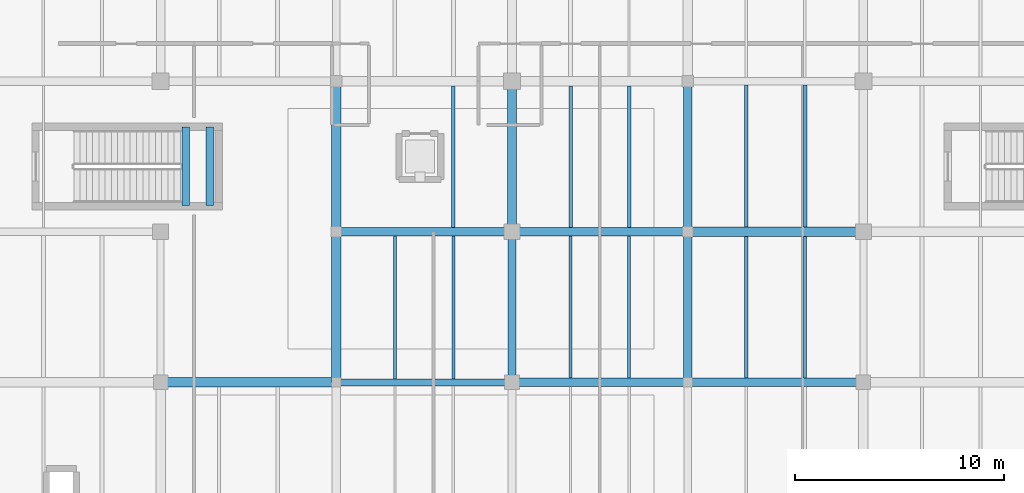
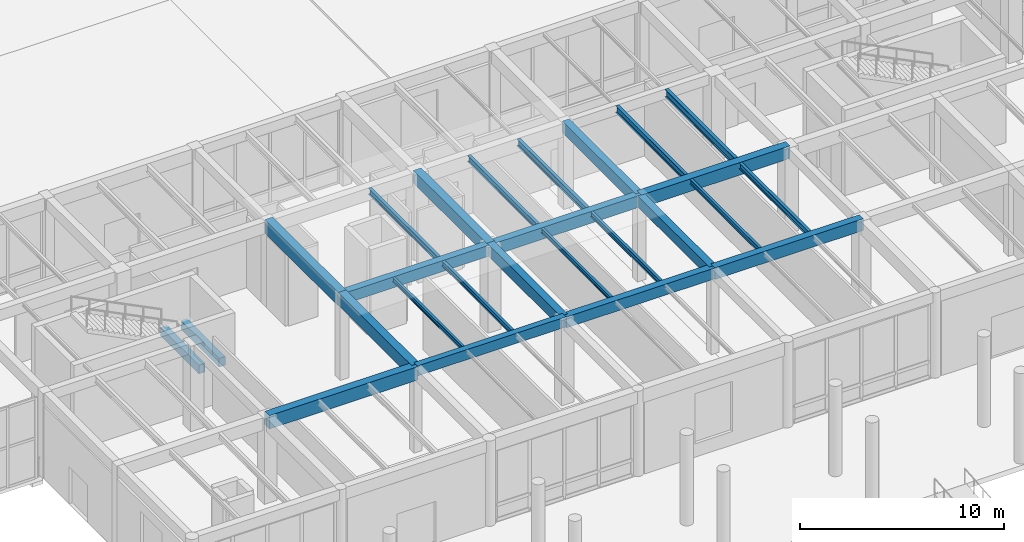
# One storey, part 42 of 169: 26 beams.
"""IFC4 building model written with IfcOpenShell, lengths in metres."""

from ifc_helpers import new_model, si_unit, direction, frame, origin, origin_2d, place, context, subcontext, project, spatial, rectangle, i_section, extrude, material, material_profile, profile_set, type_object, element, save


model = new_model("IFC4")

# Units and contexts
model_context = context("Model", 3, precision=1e-05, world=origin(), true_north=direction((0.0, 1.0)))
body_context = subcontext(model_context, "Body", "Model", "MODEL_VIEW")
ifc_project = project(units=[si_unit("LENGTHUNIT", "METRE"), si_unit("AREAUNIT", "SQUARE_METRE"), si_unit("VOLUMEUNIT", "CUBIC_METRE"), si_unit("PLANEANGLEUNIT", "RADIAN"), si_unit("MASSUNIT", "GRAM", prefix="KILO")], contexts=[model_context])

# Site, building, storey
site_placement = place(None, origin())
site = spatial("IfcSite", under=ifc_project, at=site_placement, CompositionType="ELEMENT")
building_placement = place(site_placement, origin())
building = spatial("IfcBuilding", under=site, at=building_placement, Name="Mazaris Harbour Polytechnic", CompositionType="ELEMENT")
storey_placement = place(building_placement, origin())
storey = spatial("IfcBuildingStorey", under=building, at=storey_placement, Name="L00", CompositionType="ELEMENT", Elevation=0.0)

# Beams
ifc_material_1 = material(Name="Concrete C35/45", Category="concrete")
ifc_material_profile_1 = material_profile(ifc_material_1, rectangle(XDim=0.35009765625, YDim=0.60009765625, at=origin_2d()), Name="RECT350x600")
ifc_profile_set_1 = profile_set([ifc_material_profile_1], Name="Concrete C35/45")
beam_type_1 = type_object("IfcBeamType", Name="RC Girder 350x600", PredefinedType="BEAM", material=ifc_profile_set_1)
beam_1_placement = place(storey_placement, frame((70.800048828125, 14.39990234375, 4.800048828125), z_axis=(1.0, 0.0, 0.0), x_axis=(0.0, 1.0, 0.0)))
element("IfcBeam", 1, at=beam_1_placement, inside=storey, type_object=beam_type_1, Name="V3 L00 Girder 865", PredefinedType="BEAM", context=body_context, shape_type="SweptSolid", body=[
    extrude(rectangle(XDim=0.35009765625, YDim=0.60009765625, at=origin_2d()), origin(), (0.0, 0.0, 1.0), 8.39990234375),
])
ifc_material_2 = material(Name="Concrete C35/45", Category="concrete")
ifc_material_profile_2 = material_profile(ifc_material_2, rectangle(XDim=0.39990234375, YDim=0.64990234375, at=origin_2d()), Name="RECT400x650")
ifc_profile_set_2 = profile_set([ifc_material_profile_2], Name="Concrete C35/45")
beam_type_2 = type_object("IfcBeamType", Name="RC Girder 400x650", PredefinedType="BEAM", material=ifc_profile_set_2)
beam_2_placement = place(storey_placement, frame((79.199951171875, 14.39990234375, 4.77490234375), z_axis=(1.0, 0.0, 0.0), x_axis=(0.0, 1.0, 0.0)))
element("IfcBeam", 2, at=beam_2_placement, inside=storey, type_object=beam_type_2, Name="V3 L00 Girder 866", PredefinedType="BEAM", context=body_context, shape_type="SweptSolid", body=[
    extrude(rectangle(XDim=0.39990234375, YDim=0.64990234375, at=origin_2d()), origin(), (0.0, 0.0, 1.0), 8.400146484375),
])
beam_3_placement = place(storey_placement, frame((70.800048828125, 21.60009765625, 4.77490234375), z_axis=(1.0, 0.0, 0.0), x_axis=(0.0, 1.0, 0.0)))
element("IfcBeam", 3, at=beam_3_placement, inside=storey, type_object=beam_type_2, Name="V3 L00 Girder 871", PredefinedType="BEAM", context=body_context, shape_type="SweptSolid", body=[
    extrude(rectangle(XDim=0.39990234375, YDim=0.64990234375, at=origin_2d()), origin(), (0.0, 0.0, 1.0), 8.39990234375),
])
beam_4_placement = place(storey_placement, frame((87.60009765625, 14.39990234375, 4.77490234375), z_axis=(0.0, 1.0, 0.0), x_axis=(-1.0, 0.0, 0.0)))
element("IfcBeam", 4, at=beam_4_placement, inside=storey, type_object=beam_type_2, Name="V3 L00 Tie Girder 906", PredefinedType="BEAM", context=body_context, shape_type="SweptSolid", body=[
    extrude(rectangle(XDim=0.39990234375, YDim=0.64990234375, at=origin_2d()), origin(), (0.0, 0.0, 1.0), 7.2001953125),
])
ifc_material_3 = material(Name="Concrete C35/45", Category="concrete")
ifc_material_profile_3 = material_profile(ifc_material_3, rectangle(XDim=0.39990234375, YDim=0.699951171875, at=origin_2d()), Name="RECT400x700")
ifc_profile_set_3 = profile_set([ifc_material_profile_3], Name="Concrete C35/45")
beam_type_3 = type_object("IfcBeamType", Name="RC Girder 400x700", PredefinedType="BEAM", material=ifc_profile_set_3)
beam_5_placement = place(storey_placement, frame((87.60009765625, 14.39990234375, 4.75), z_axis=(1.0, 0.0, 0.0), x_axis=(0.0, 1.0, 0.0)))
element("IfcBeam", 5, at=beam_5_placement, inside=storey, type_object=beam_type_3, Name="V3 L00 Girder 867", PredefinedType="BEAM", context=body_context, shape_type="SweptSolid", body=[
    extrude(rectangle(XDim=0.39990234375, YDim=0.699951171875, at=origin_2d()), origin(), (0.0, 0.0, 1.0), 8.39990234375),
])
beam_6_placement = place(storey_placement, frame((79.199951171875, 21.60009765625, 4.75), z_axis=(1.0, 0.0, 0.0), x_axis=(0.0, 1.0, 0.0)))
element("IfcBeam", 6, at=beam_6_placement, inside=storey, type_object=beam_type_3, Name="V3 L00 Girder 872", PredefinedType="BEAM", context=body_context, shape_type="SweptSolid", body=[
    extrude(rectangle(XDim=0.39990234375, YDim=0.699951171875, at=origin_2d()), origin(), (0.0, 0.0, 1.0), 8.400146484375),
])
beam_7_placement = place(storey_placement, frame((79.199951171875, 14.39990234375, 4.75), z_axis=(0.0, 1.0, 0.0), x_axis=(-1.0, 0.0, 0.0)))
element("IfcBeam", 7, at=beam_7_placement, inside=storey, type_object=beam_type_3, Name="V3 L00 Tie Girder 902", PredefinedType="BEAM", context=body_context, shape_type="SweptSolid", body=[
    extrude(rectangle(XDim=0.39990234375, YDim=0.699951171875, at=origin_2d()), origin(), (0.0, 0.0, 1.0), 7.2001953125),
])
beam_8_placement = place(storey_placement, frame((87.60009765625, 21.60009765625, 4.75), z_axis=(0.0, 1.0, 0.0), x_axis=(-1.0, 0.0, 0.0)))
element("IfcBeam", 8, at=beam_8_placement, inside=storey, type_object=beam_type_3, Name="V3 L00 Tie Girder 907", PredefinedType="BEAM", context=body_context, shape_type="SweptSolid", body=[
    extrude(rectangle(XDim=0.39990234375, YDim=0.699951171875, at=origin_2d()), origin(), (0.0, 0.0, 1.0), 7.199951171875),
])
ifc_material_4 = material(Name="Concrete C40/50", Category="concrete")
ifc_material_profile_4 = material_profile(ifc_material_4, rectangle(XDim=0.449951171875, YDim=0.75, at=origin_2d()), Name="RECT450x750")
ifc_profile_set_4 = profile_set([ifc_material_profile_4], Name="Concrete C40/50")
beam_type_4 = type_object("IfcBeamType", Name="RC Girder 450x750", PredefinedType="BEAM", material=ifc_profile_set_4)
beam_9_placement = place(storey_placement, frame((87.60009765625, 21.60009765625, 4.72509765625), z_axis=(1.0, 0.0, 0.0), x_axis=(0.0, 1.0, 0.0)))
element("IfcBeam", 9, at=beam_9_placement, inside=storey, type_object=beam_type_4, Name="V3 L00 Girder 873", PredefinedType="BEAM", context=body_context, shape_type="SweptSolid", body=[
    extrude(rectangle(XDim=0.449951171875, YDim=0.75, at=origin_2d()), origin(), (0.0, 0.0, 1.0), 8.39990234375),
])
beam_10_placement = place(storey_placement, frame((70.800048828125, 14.39990234375, 4.72509765625), z_axis=(0.0, 1.0, 0.0), x_axis=(-1.0, 0.0, 0.0)))
element("IfcBeam", 10, at=beam_10_placement, inside=storey, type_object=beam_type_4, Name="V3 L00 Tie Girder 898", PredefinedType="BEAM", context=body_context, shape_type="SweptSolid", body=[
    extrude(rectangle(XDim=0.449951171875, YDim=0.75, at=origin_2d()), origin(), (0.0, 0.0, 1.0), 7.2001953125),
])
beam_11_placement = place(storey_placement, frame((79.199951171875, 21.60009765625, 4.72509765625), z_axis=(0.0, 1.0, 0.0), x_axis=(-1.0, 0.0, 0.0)))
element("IfcBeam", 11, at=beam_11_placement, inside=storey, type_object=beam_type_4, Name="V3 L00 Tie Girder 903", PredefinedType="BEAM", context=body_context, shape_type="SweptSolid", body=[
    extrude(rectangle(XDim=0.449951171875, YDim=0.75, at=origin_2d()), origin(), (0.0, 0.0, 1.0), 7.199951171875),
])
ifc_material_5 = material(Name="Concrete C40/50", Category="concrete")
ifc_material_profile_5 = material_profile(ifc_material_5, rectangle(XDim=0.449951171875, YDim=0.800048828125, at=origin_2d()), Name="RECT450x800")
ifc_profile_set_5 = profile_set([ifc_material_profile_5], Name="Concrete C40/50")
beam_type_5 = type_object("IfcBeamType", Name="RC Girder 450x800", PredefinedType="BEAM", material=ifc_profile_set_5)
beam_12_placement = place(storey_placement, frame((62.39990234375, 14.39990234375, 4.699951171875), z_axis=(1.0, 0.0, 0.0), x_axis=(0.0, 1.0, 0.0)))
element("IfcBeam", 12, at=beam_12_placement, inside=storey, type_object=beam_type_5, Name="V3 L00 Girder 864", PredefinedType="BEAM", context=body_context, shape_type="SweptSolid", body=[
    extrude(rectangle(XDim=0.449951171875, YDim=0.800048828125, at=origin_2d()), origin(), (0.0, 0.0, 1.0), 8.400146484375),
])
beam_13_placement = place(storey_placement, frame((70.800048828125, 21.60009765625, 4.699951171875), z_axis=(0.0, 1.0, 0.0), x_axis=(-1.0, 0.0, 0.0)))
element("IfcBeam", 13, at=beam_13_placement, inside=storey, type_object=beam_type_5, Name="V3 L00 Tie Girder 899", PredefinedType="BEAM", context=body_context, shape_type="SweptSolid", body=[
    extrude(rectangle(XDim=0.449951171875, YDim=0.800048828125, at=origin_2d()), origin(), (0.0, 0.0, 1.0), 7.199951171875),
])
ifc_material_6 = material(Name="Concrete C40/50", Category="concrete")
ifc_material_profile_6 = material_profile(ifc_material_6, rectangle(XDim=0.35009765625, YDim=0.52001953125, at=origin_2d()), Name="RECT350x520")
ifc_profile_set_6 = profile_set([ifc_material_profile_6], Name="Concrete C40/50")
beam_type_6 = type_object("IfcBeamType", Name="RC Landing Bearer 350x520", PredefinedType="BEAM", material=ifc_profile_set_6)
for number, where, z_axis, x_axis, name in (
    (14, (63.60009765625, 22.85009765625, 2.239990234375), (0.0, 1.0, 0.0), (-1.0, 0.0, 0.0), "Core ST05 L00 Landing Bearer"),
    (15, (64.75, 22.85009765625, 2.239990234375), (0.0, 1.0, 0.0), (-1.0, 0.0, 0.0), "Core ST05 L00 Landing Bearer"),
):
    element("IfcBeam", number, at=place(storey_placement, frame(where, z_axis=z_axis, x_axis=x_axis)), inside=storey, type_object=beam_type_6, Name=name, PredefinedType="BEAM", context=body_context, shape_type="SweptSolid", body=[
        extrude(rectangle(XDim=0.35009765625, YDim=0.52001953125, at=origin_2d()), origin(), (0.0, 0.0, 1.0), 3.75),
    ])
ifc_material_7 = material(Name="Steel S355", Category="steel")
ifc_material_profile_7 = material_profile(ifc_material_7, i_section(OverallWidth=0.135009765625, OverallDepth=0.27001953125, WebThickness=0.006591796875, FlangeThickness=0.01025390625, FilletRadius=0.014892578125, at=origin_2d()), Name="IPE 270")
ifc_profile_set_7 = profile_set([ifc_material_profile_7], Name="Steel S355")
beam_type_7 = type_object("IfcBeamType", Name="Steel Joist IPE270", PredefinedType="JOIST", material=ifc_profile_set_7)
beam_14_placement = place(storey_placement, frame((73.60009765625, 14.574951171875, 4.965087890625), z_axis=(0.0, 1.0, 0.0), x_axis=(-1.0, 0.0, 0.0)))
element("IfcBeam", 16, at=beam_14_placement, inside=storey, type_object=beam_type_7, Name="V3 L00 Floor Joist 933", PredefinedType="JOIST", context=body_context, shape_type="SweptSolid", body=[
    extrude(i_section(OverallWidth=0.135009765625, OverallDepth=0.27001953125, WebThickness=0.006591796875, FlangeThickness=0.01025390625, FilletRadius=0.014892578125, at=origin_2d()), origin(), (0.0, 0.0, 1.0), 6.824951171875),
])
beam_15_placement = place(storey_placement, frame((82.0, 14.60009765625, 4.965087890625), z_axis=(0.0, 1.0, 0.0), x_axis=(-1.0, 0.0, 0.0)))
element("IfcBeam", 17, at=beam_15_placement, inside=storey, type_object=beam_type_7, Name="V3 L00 Floor Joist 940", PredefinedType="JOIST", context=body_context, shape_type="SweptSolid", body=[
    extrude(i_section(OverallWidth=0.135009765625, OverallDepth=0.27001953125, WebThickness=0.006591796875, FlangeThickness=0.01025390625, FilletRadius=0.014892578125, at=origin_2d()), origin(), (0.0, 0.0, 1.0), 6.7998046875),
])
ifc_material_8 = material(Name="Steel S355", Category="steel")
ifc_material_profile_8 = material_profile(ifc_material_8, i_section(OverallWidth=0.14990234375, OverallDepth=0.300048828125, WebThickness=0.007080078125, FlangeThickness=0.0107421875, FilletRadius=0.014892578125, at=origin_2d()), Name="IPE 300")
ifc_profile_set_8 = profile_set([ifc_material_profile_8], Name="Steel S355")
beam_type_8 = type_object("IfcBeamType", Name="Steel Joist IPE300", PredefinedType="JOIST", material=ifc_profile_set_8)
beam_16_placement = place(storey_placement, frame((76.39990234375, 14.574951171875, 4.949951171875), z_axis=(0.0, 1.0, 0.0), x_axis=(-1.0, 0.0, 0.0)))
element("IfcBeam", 18, at=beam_16_placement, inside=storey, type_object=beam_type_8, Name="V3 L00 Floor Joist 934", PredefinedType="JOIST", context=body_context, shape_type="SweptSolid", body=[
    extrude(i_section(OverallWidth=0.14990234375, OverallDepth=0.300048828125, WebThickness=0.007080078125, FlangeThickness=0.0107421875, FilletRadius=0.014892578125, at=origin_2d()), origin(), (0.0, 0.0, 1.0), 6.824951171875),
])
beam_17_placement = place(storey_placement, frame((84.800048828125, 14.60009765625, 4.949951171875), z_axis=(0.0, 1.0, 0.0), x_axis=(-1.0, 0.0, 0.0)))
element("IfcBeam", 19, at=beam_17_placement, inside=storey, type_object=beam_type_8, Name="V3 L00 Floor Joist 941", PredefinedType="JOIST", context=body_context, shape_type="SweptSolid", body=[
    extrude(i_section(OverallWidth=0.14990234375, OverallDepth=0.300048828125, WebThickness=0.007080078125, FlangeThickness=0.0107421875, FilletRadius=0.014892578125, at=origin_2d()), origin(), (0.0, 0.0, 1.0), 6.7998046875),
])
beam_18_placement = place(storey_placement, frame((90.39990234375, 14.60009765625, 4.949951171875), z_axis=(0.0, 1.0, 0.0), x_axis=(-1.0, 0.0, 0.0)))
element("IfcBeam", 20, at=beam_18_placement, inside=storey, type_object=beam_type_8, Name="V3 L00 Floor Joist 948", PredefinedType="JOIST", context=body_context, shape_type="SweptSolid", body=[
    extrude(i_section(OverallWidth=0.14990234375, OverallDepth=0.300048828125, WebThickness=0.007080078125, FlangeThickness=0.0107421875, FilletRadius=0.014892578125, at=origin_2d()), origin(), (0.0, 0.0, 1.0), 6.77490234375),
])
ifc_material_9 = material(Name="Steel S355", Category="steel")
ifc_material_profile_9 = material_profile(ifc_material_9, i_section(OverallWidth=0.169921875, OverallDepth=0.360107421875, WebThickness=0.008056640625, FlangeThickness=0.0126953125, FilletRadius=0.01806640625, at=origin_2d()), Name="IPE 360")
ifc_profile_set_9 = profile_set([ifc_material_profile_9], Name="Steel S355")
beam_type_9 = type_object("IfcBeamType", Name="Steel Joist IPE360", PredefinedType="JOIST", material=ifc_profile_set_9)
for number, where, z_axis, x_axis, name in (
    (21, (76.39990234375, 21.800048828125, 4.919921875), (0.0, 1.0, 0.0), (-1.0, 0.0, 0.0), "V3 L00 Floor Joist 935"),
    (22, (82.0, 21.800048828125, 4.919921875), (0.0, 1.0, 0.0), (-1.0, 0.0, 0.0), "V3 L00 Floor Joist 942"),
    (23, (93.199951171875, 14.60009765625, 4.919921875), (0.0, 1.0, 0.0), (-1.0, 0.0, 0.0), "V3 L00 Floor Joist 949"),
):
    element("IfcBeam", number, at=place(storey_placement, frame(where, z_axis=z_axis, x_axis=x_axis)), inside=storey, type_object=beam_type_9, Name=name, PredefinedType="JOIST", context=body_context, shape_type="SweptSolid", body=[
        extrude(i_section(OverallWidth=0.169921875, OverallDepth=0.360107421875, WebThickness=0.008056640625, FlangeThickness=0.0126953125, FilletRadius=0.01806640625, at=origin_2d()), origin(), (0.0, 0.0, 1.0), 6.77490234375),
    ])
ifc_material_10 = material(Name="Steel S355", Category="steel")
ifc_material_profile_10 = material_profile(ifc_material_10, i_section(OverallWidth=0.179931640625, OverallDepth=0.39990234375, WebThickness=0.008544921875, FlangeThickness=0.013427734375, FilletRadius=0.02099609375, at=origin_2d()), Name="IPE 400")
ifc_profile_set_10 = profile_set([ifc_material_profile_10], Name="Steel S355")
beam_type_10 = type_object("IfcBeamType", Name="Steel Joist IPE400", PredefinedType="JOIST", material=ifc_profile_set_10)
beam_19_placement = place(storey_placement, frame((84.800048828125, 21.800048828125, 4.89990234375), z_axis=(0.0, 1.0, 0.0), x_axis=(-1.0, 0.0, 0.0)))
element("IfcBeam", 24, at=beam_19_placement, inside=storey, type_object=beam_type_10, Name="V3 L00 Floor Joist 943", PredefinedType="JOIST", context=body_context, shape_type="SweptSolid", body=[
    extrude(i_section(OverallWidth=0.179931640625, OverallDepth=0.39990234375, WebThickness=0.008544921875, FlangeThickness=0.013427734375, FilletRadius=0.02099609375, at=origin_2d()), origin(), (0.0, 0.0, 1.0), 6.77490234375),
])
beam_20_placement = place(storey_placement, frame((90.39990234375, 21.824951171875, 4.89990234375), z_axis=(0.0, 1.0, 0.0), x_axis=(-1.0, 0.0, 0.0)))
element("IfcBeam", 25, at=beam_20_placement, inside=storey, type_object=beam_type_10, Name="V3 L00 Floor Joist 950", PredefinedType="JOIST", context=body_context, shape_type="SweptSolid", body=[
    extrude(i_section(OverallWidth=0.179931640625, OverallDepth=0.39990234375, WebThickness=0.008544921875, FlangeThickness=0.013427734375, FilletRadius=0.02099609375, at=origin_2d()), origin(), (0.0, 0.0, 1.0), 6.800048828125),
])
ifc_material_11 = material(Name="Steel S355", Category="steel")
ifc_material_profile_11 = material_profile(ifc_material_11, i_section(OverallWidth=0.18994140625, OverallDepth=0.449951171875, WebThickness=0.009521484375, FlangeThickness=0.0146484375, FilletRadius=0.02099609375, at=origin_2d()), Name="IPE 450")
ifc_profile_set_11 = profile_set([ifc_material_profile_11], Name="Steel S355")
beam_type_11 = type_object("IfcBeamType", Name="Steel Joist IPE450", PredefinedType="JOIST", material=ifc_profile_set_11)
beam_21_placement = place(storey_placement, frame((93.199951171875, 21.824951171875, 4.875), z_axis=(0.0, 1.0, 0.0), x_axis=(-1.0, 0.0, 0.0)))
element("IfcBeam", 26, at=beam_21_placement, inside=storey, type_object=beam_type_11, Name="V3 L00 Floor Joist 951", PredefinedType="JOIST", context=body_context, shape_type="SweptSolid", body=[
    extrude(i_section(OverallWidth=0.18994140625, OverallDepth=0.449951171875, WebThickness=0.009521484375, FlangeThickness=0.0146484375, FilletRadius=0.02099609375, at=origin_2d()), origin(), (0.0, 0.0, 1.0), 6.800048828125),
])

save(model, "model.ifc")
